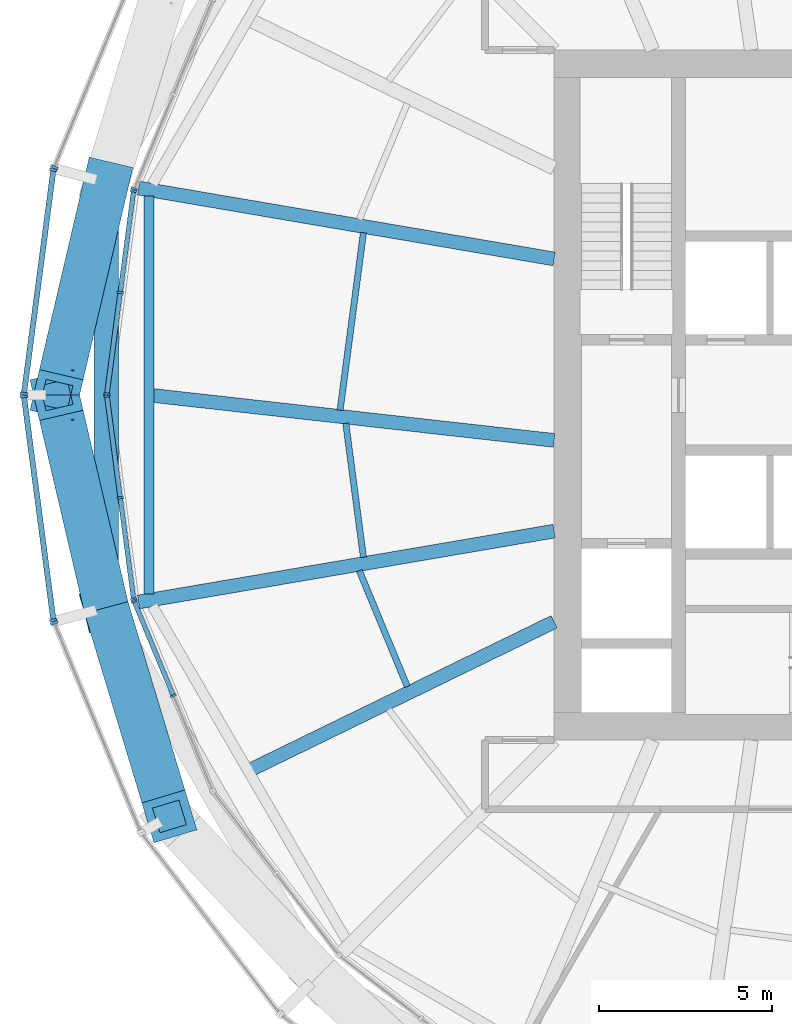
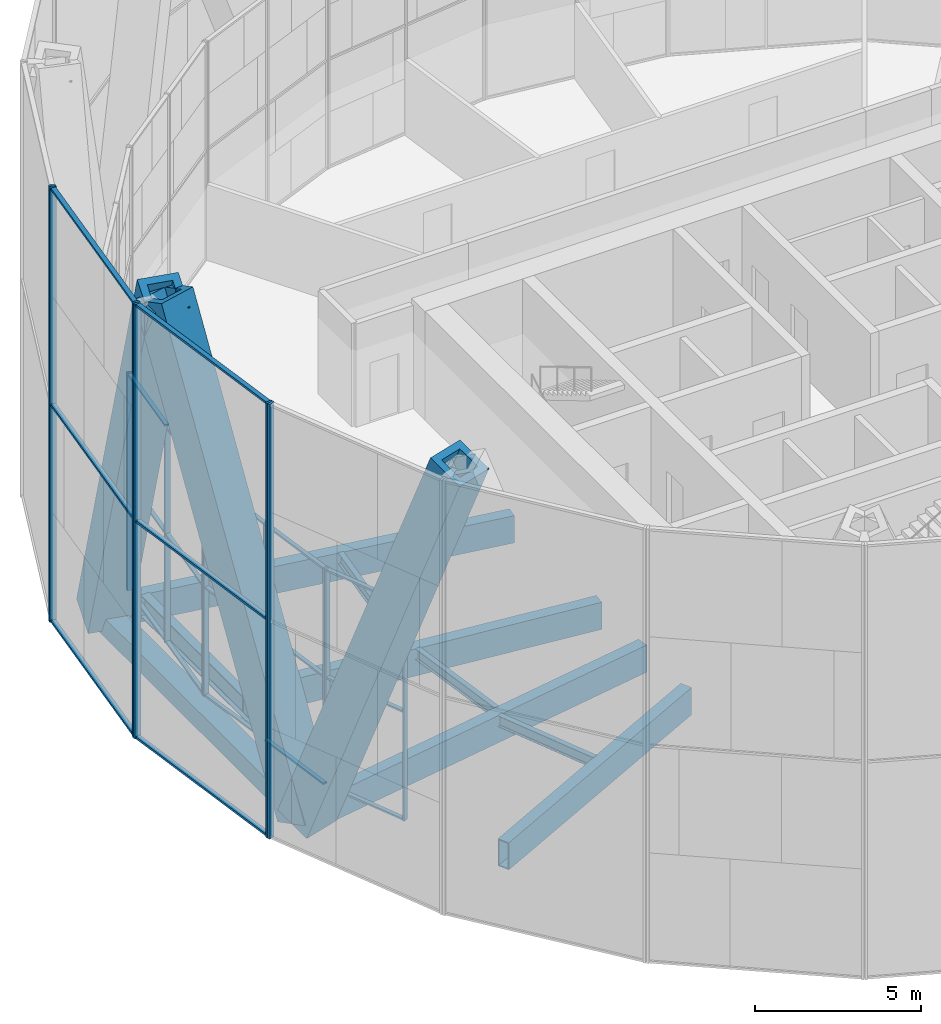
# One storey, part 3 of 22: 39 members, 9 beams, 8 elements without a shape of their own.
"""IFC4 building model written with IfcOpenShell, lengths in metres."""

from ifc_helpers import new_model, si_unit, direction, frame, origin, origin_2d, place, context, subcontext, project, spatial, rectangle, hollow_rectangle, i_section, extrude, material, material_profile, profile_set, type_object, element, aggregate, save


model = new_model("IFC4")

# Units and contexts
model_context = context("Model", 3, precision=1e-05, world=origin(), true_north=direction((0.0, 1.0)))
body_context = subcontext(model_context, "Body", "Model", "MODEL_VIEW")
ifc_project = project(units=[si_unit("LENGTHUNIT", "METRE"), si_unit("AREAUNIT", "SQUARE_METRE"), si_unit("VOLUMEUNIT", "CUBIC_METRE"), si_unit("PLANEANGLEUNIT", "RADIAN"), si_unit("MASSUNIT", "GRAM", prefix="KILO")], contexts=[model_context])

# Site, building, storey
site_placement = place(None, origin())
site = spatial("IfcSite", under=ifc_project, at=site_placement, CompositionType="ELEMENT")
building_placement = place(site_placement, origin())
building = spatial("IfcBuilding", under=site, at=building_placement, Name="Golbaran Civic Tower", CompositionType="ELEMENT")
storey_placement = place(building_placement, frame((0.0, 0.0, 37.0)))
storey = spatial("IfcBuildingStorey", under=building, at=storey_placement, Name="L08", CompositionType="ELEMENT", Elevation=37.0)

# Members
ifc_material_1 = material(Name="Steel S355", Category="steel")
ifc_material_profile_1 = material_profile(ifc_material_1, hollow_rectangle(XDim=1.300048828125, YDim=1.300048828125, WallThickness=0.25, at=origin_2d()), Name="BOX 1300x1300x250")
ifc_profile_set_1 = profile_set([ifc_material_profile_1], Name="Steel S355")
member_type_1 = type_object("IfcMemberType", Name="DIAGRID DIAGONAL BOX 1300x1300x250", PredefinedType="BRACE", material=ifc_profile_set_1)
for number, where, z_axis, x_axis, name in (
    (1, (-22.974609375, 6.156005859375, -0.7099609375), (-0.083783707779, -0.357826251971, 0.930021861953), (0.97366575113, -0.227980273435, 0.0), "Diagonal D01-05R L08-L12"),
    (2, (-22.974609375, -6.156005859375, -0.7099609375), (0.106361428095, -0.351780312348, 0.930020353787), (0.957204461944, 0.289412539524, 0.0), "Diagonal D01-06R L08-L12"),
    (3, (-22.974609375, -6.156005859375, -0.7099609375), (-0.083783707779, 0.357826251971, 0.930021861953), (-0.97366575113, -0.227980273435, 0.0), "Diagonal D01-06L L08-L12"),
):
    element("IfcMember", number, at=place(storey_placement, frame(where, z_axis=z_axis, x_axis=x_axis)), inside=storey, type_object=member_type_1, Name=name, PredefinedType="BRACE", context=body_context, shape_type="SweptSolid", body=[
        extrude(hollow_rectangle(XDim=1.300048828125, YDim=1.300048828125, WallThickness=0.25, at=origin_2d()), origin(), (0.0, 0.0, 1.0), 17.203857421875),
    ])

# Beams
ifc_material_profile_2 = material_profile(ifc_material_1, hollow_rectangle(XDim=0.699951171875, YDim=0.699951171875, WallThickness=0.080078125, at=origin_2d()), Name="BOX 700x700x80")
ifc_profile_set_2 = profile_set([ifc_material_profile_2], Name="Steel S355")
beam_type_1 = type_object("IfcBeamType", Name="DIAGRID RING TIE BOX 700x700x80", PredefinedType="BEAM", material=ifc_profile_set_2)
beam_1_placement = place(storey_placement, frame((-22.974609375, 6.156005859375, -0.7099609375), z_axis=(0.0, -1.0, 0.0), x_axis=(1.0, 0.0, 0.0)))
element("IfcBeam", 4, at=beam_1_placement, inside=storey, type_object=beam_type_1, Name="Ring tie 165.00 L08", PredefinedType="BEAM", context=body_context, shape_type="SweptSolid", body=[
    extrude(hollow_rectangle(XDim=0.699951171875, YDim=0.699951171875, WallThickness=0.080078125, at=origin_2d()), origin(), (0.0, 0.0, 1.0), 12.31201171875),
])
ifc_material_profile_3 = material_profile(ifc_material_1, i_section(OverallWidth=0.300048828125, OverallDepth=0.800048828125, WebThickness=0.017578125, FlangeThickness=0.032958984375, FilletRadius=0.030029296875, at=origin_2d()), Name="HEB 800")
ifc_profile_set_3 = profile_set([ifc_material_profile_3], Name="Steel S355")
beam_type_2 = type_object("IfcBeamType", Name="EDGE BEAM HEB 800", PredefinedType="BEAM", material=ifc_profile_set_3)
beam_2_placement = place(storey_placement, frame((-21.736328125, 5.76220703125, -0.60009765625), z_axis=(0.0, -1.0, 0.0), x_axis=(1.0, 0.0, 0.0)))
element("IfcBeam", 5, at=beam_2_placement, inside=storey, type_object=beam_type_2, Name="Edge beam 165.00 L08", PredefinedType="BEAM", context=body_context, shape_type="SweptSolid", body=[
    extrude(i_section(OverallWidth=0.300048828125, OverallDepth=0.800048828125, WebThickness=0.017578125, FlangeThickness=0.032958984375, FilletRadius=0.030029296875, at=origin_2d()), origin(), (0.0, 0.0, 1.0), 11.5244140625),
])
ifc_material_profile_4 = material_profile(ifc_material_1, i_section(OverallWidth=0.179931640625, OverallDepth=0.39990234375, WebThickness=0.008544921875, FlangeThickness=0.013427734375, FilletRadius=0.02099609375, at=origin_2d()), Name="IPE 400")
ifc_profile_set_4 = profile_set([ifc_material_profile_4], Name="Steel S355")
beam_type_3 = type_object("IfcBeamType", Name="FLOOR INFILL BEAM IPE 400", PredefinedType="BEAM", material=ifc_profile_set_4)
beam_3_placement = place(storey_placement, frame((-15.524169921875, 4.70263671875, -0.39990234375), z_axis=(-0.130504444265, -0.991447724304, 0.0), x_axis=(0.991447724304, -0.130504444265, 0.0)))
element("IfcBeam", 6, at=beam_3_placement, inside=storey, type_object=beam_type_3, Name="Infill beam 172.50 L08", PredefinedType="BEAM", context=body_context, shape_type="SweptSolid", body=[
    extrude(i_section(OverallWidth=0.179931640625, OverallDepth=0.39990234375, WebThickness=0.008544921875, FlangeThickness=0.013427734375, FilletRadius=0.02099609375, at=origin_2d()), origin(), (0.0, 0.0, 1.0), 5.185791015625),
])
beam_4_placement = place(storey_placement, frame((-16.035400390625, -0.819580078125, -0.39990234375), z_axis=(0.13053029912, -0.991444320681, 0.0), x_axis=(0.991444320681, 0.13053029912, 0.0)))
element("IfcBeam", 7, at=beam_4_placement, inside=storey, type_object=beam_type_3, Name="Infill beam 187.50 L08", PredefinedType="BEAM", context=body_context, shape_type="SweptSolid", body=[
    extrude(i_section(OverallWidth=0.179931640625, OverallDepth=0.39990234375, WebThickness=0.008544921875, FlangeThickness=0.013427734375, FilletRadius=0.02099609375, at=origin_2d()), origin(), (0.0, 0.0, 1.0), 3.91650390625),
])
beam_5_placement = place(storey_placement, frame((-15.644287109375, -5.088134765625, -0.39990234375), z_axis=(0.382672312767, -0.923884138321, 0.0), x_axis=(0.923884138321, 0.382672312767, 0.0)))
element("IfcBeam", 8, at=beam_5_placement, inside=storey, type_object=beam_type_3, Name="Infill beam 202.50 L08", PredefinedType="BEAM", context=body_context, shape_type="SweptSolid", body=[
    extrude(i_section(OverallWidth=0.179931640625, OverallDepth=0.39990234375, WebThickness=0.008544921875, FlangeThickness=0.013427734375, FilletRadius=0.02099609375, at=origin_2d()), origin(), (0.0, 0.0, 1.0), 3.6328125),
])

# Curtain wall, member
ifc_material_2 = material(Name="Aluminium and glass", Category="aluminium")
curtain_wall_type_1 = type_object("IfcCurtainWallType", Name="INNER SKIN CURTAIN WALL", PredefinedType="NOTDEFINED", material=ifc_material_2)
curtain_wall_1_placement = place(storey_placement, origin())
curtain_wall_1 = element("IfcCurtainWall", 9, at=curtain_wall_1_placement, inside=storey, type_object=curtain_wall_type_1, Name="Inner skin L08 facet 11 CW1", ObjectType="INNER SKIN", PredefinedType="USERDEFINED")
ifc_material_3 = material(Name="Aluminium", Category="aluminium")
ifc_material_profile_5 = material_profile(ifc_material_3, rectangle(XDim=0.179931640625, YDim=0.06494140625, at=origin_2d()), Name="INNER SKIN CURTAIN WALL MULLION")
ifc_profile_set_5 = profile_set([ifc_material_profile_5], Name="Aluminium")
member_type_2 = type_object("IfcMemberType", Name="INNER SKIN CURTAIN WALL MULLION", PredefinedType="MULLION", material=ifc_profile_set_5)
member_1_placement = place(storey_placement, frame((-22.166259765625, 5.97265625, 0.0), z_axis=(0.0, 0.0, 1.0), x_axis=(0.923879532511, -0.382683432365, 0.0)))
member_1 = element("IfcMember", 10, at=member_1_placement, type_object=member_type_2, Name="CW1 mullion 3", PredefinedType="MULLION", context=body_context, shape_type="SweptSolid", body=[
    extrude(rectangle(XDim=0.179931640625, YDim=0.06494140625, at=origin_2d()), origin(), (0.0, 0.0, 1.0), 8.0),
])
aggregate(curtain_wall_1, [member_1])

# Curtain wall, members
curtain_wall_2_placement = place(storey_placement, origin())
curtain_wall_2 = element("IfcCurtainWall", 11, at=curtain_wall_2_placement, inside=storey, type_object=curtain_wall_type_1, Name="Inner skin L08 facet 12 CW1", ObjectType="INNER SKIN", PredefinedType="USERDEFINED")
member_2_placement = place(storey_placement, frame((-22.182861328125, 5.910400390625, 0.0), z_axis=(0.0, 0.0, 1.0), x_axis=(0.991444861365, -0.130526192289, 0.0)))
member_2 = element("IfcMember", 12, at=member_2_placement, type_object=member_type_2, Name="CW1 mullion 1", PredefinedType="MULLION", context=body_context, shape_type="SweptSolid", body=[
    extrude(rectangle(XDim=0.179931640625, YDim=0.06494140625, at=origin_2d()), origin(), (0.0, 0.0, 1.0), 8.0),
])
member_3_placement = place(storey_placement, frame((-22.56982421875, 2.971435546875, 0.0), z_axis=(0.0, 0.0, 1.0), x_axis=(0.991444861365, -0.130526192289, 0.0)))
member_3 = element("IfcMember", 13, at=member_3_placement, type_object=member_type_2, Name="CW1 mullion 2", PredefinedType="MULLION", context=body_context, shape_type="SweptSolid", body=[
    extrude(rectangle(XDim=0.179931640625, YDim=0.06494140625, at=origin_2d()), origin(), (0.0, 0.0, 1.0), 8.0),
])
member_4_placement = place(storey_placement, frame((-22.956787109375, 0.0322265625, 0.0), z_axis=(0.0, 0.0, 1.0), x_axis=(0.991444861365, -0.130526192289, 0.0)))
member_4 = element("IfcMember", 14, at=member_4_placement, type_object=member_type_2, Name="CW1 mullion 3", PredefinedType="MULLION", context=body_context, shape_type="SweptSolid", body=[
    extrude(rectangle(XDim=0.179931640625, YDim=0.06494140625, at=origin_2d()), origin(), (0.0, 0.0, 1.0), 8.0),
])

curtain_wall_3_placement = place(storey_placement, origin())
curtain_wall_3 = element("IfcCurtainWall", 15, at=curtain_wall_3_placement, inside=storey, type_object=curtain_wall_type_1, Name="Inner skin L08 facet 13 CW1", ObjectType="INNER SKIN", PredefinedType="USERDEFINED")
member_5_placement = place(storey_placement, frame((-22.956787109375, -0.0322265625, 0.0), z_axis=(0.0, 0.0, 1.0), x_axis=(0.991444861365, 0.130526192289, 0.0)))
member_5 = element("IfcMember", 16, at=member_5_placement, type_object=member_type_2, Name="CW1 mullion 1", PredefinedType="MULLION", context=body_context, shape_type="SweptSolid", body=[
    extrude(rectangle(XDim=0.179931640625, YDim=0.06494140625, at=origin_2d()), origin(), (0.0, 0.0, 1.0), 8.0),
])
member_6_placement = place(storey_placement, frame((-22.56982421875, -2.971435546875, 0.0), z_axis=(0.0, 0.0, 1.0), x_axis=(0.991444861365, 0.130526192289, 0.0)))
member_6 = element("IfcMember", 17, at=member_6_placement, type_object=member_type_2, Name="CW1 mullion 2", PredefinedType="MULLION", context=body_context, shape_type="SweptSolid", body=[
    extrude(rectangle(XDim=0.179931640625, YDim=0.06494140625, at=origin_2d()), origin(), (0.0, 0.0, 1.0), 8.0),
])
member_7_placement = place(storey_placement, frame((-22.182861328125, -5.910400390625, 0.0), z_axis=(0.0, 0.0, 1.0), x_axis=(0.991444861365, 0.130526192289, 0.0)))
member_7 = element("IfcMember", 18, at=member_7_placement, type_object=member_type_2, Name="CW1 mullion 3", PredefinedType="MULLION", context=body_context, shape_type="SweptSolid", body=[
    extrude(rectangle(XDim=0.179931640625, YDim=0.06494140625, at=origin_2d()), origin(), (0.0, 0.0, 1.0), 8.0),
])

curtain_wall_4_placement = place(storey_placement, origin())
curtain_wall_4 = element("IfcCurtainWall", 19, at=curtain_wall_4_placement, inside=storey, type_object=curtain_wall_type_1, Name="Inner skin L08 facet 14 CW1", ObjectType="INNER SKIN", PredefinedType="USERDEFINED")
member_8_placement = place(storey_placement, frame((-22.166259765625, -5.97265625, 0.0), z_axis=(0.0, 0.0, 1.0), x_axis=(0.923879532511, 0.382683432365, 0.0)))
member_8 = element("IfcMember", 20, at=member_8_placement, type_object=member_type_2, Name="CW1 mullion 1", PredefinedType="MULLION", context=body_context, shape_type="SweptSolid", body=[
    extrude(rectangle(XDim=0.179931640625, YDim=0.06494140625, at=origin_2d()), origin(), (0.0, 0.0, 1.0), 8.0),
])
member_9_placement = place(storey_placement, frame((-21.03173828125, -8.711669921875, 0.0), z_axis=(0.0, 0.0, 1.0), x_axis=(0.923879532511, 0.382683432365, 0.0)))
member_9 = element("IfcMember", 21, at=member_9_placement, type_object=member_type_2, Name="CW1 mullion 2", PredefinedType="MULLION", context=body_context, shape_type="SweptSolid", body=[
    extrude(rectangle(XDim=0.179931640625, YDim=0.06494140625, at=origin_2d()), origin(), (0.0, 0.0, 1.0), 8.0),
])

# Member
ifc_material_profile_6 = material_profile(ifc_material_3, rectangle(XDim=0.139892578125, YDim=0.06494140625, at=origin_2d()), Name="INNER SKIN CURTAIN WALL TRANSOM")
ifc_profile_set_6 = profile_set([ifc_material_profile_6], Name="Aluminium")
member_type_3 = type_object("IfcMemberType", Name="INNER SKIN CURTAIN WALL TRANSOM", PredefinedType="USERDEFINED", material=ifc_profile_set_6)
member_10_placement = place(storey_placement, frame((-22.18701171875, 5.87841796875, 0.032470703125), z_axis=(-0.130591727785, -0.991436231249, 0.0), x_axis=(0.991436231249, -0.130591727785, 0.0)))
member_10 = element("IfcMember", 22, at=member_10_placement, type_object=member_type_3, Name="CW1 transom 1.1", ObjectType="TRANSOM", PredefinedType="USERDEFINED", context=body_context, shape_type="SweptSolid", body=[
    extrude(rectangle(XDim=0.139892578125, YDim=0.06494140625, at=origin_2d()), origin(), (0.0, 0.0, 1.0), 2.899658203125),
])

member_11_placement = place(storey_placement, frame((-22.18701171875, 5.87841796875, 4.0), z_axis=(-0.130591727785, -0.991436231249, 0.0), x_axis=(0.991436231249, -0.130591727785, 0.0)))
member_11 = element("IfcMember", 23, at=member_11_placement, type_object=member_type_3, Name="CW1 transom 1.2", ObjectType="TRANSOM", PredefinedType="USERDEFINED", context=body_context, shape_type="SweptSolid", body=[
    extrude(rectangle(XDim=0.139892578125, YDim=0.06494140625, at=origin_2d()), origin(), (0.0, 0.0, 1.0), 2.899658203125),
])

member_12_placement = place(storey_placement, frame((-22.18701171875, 5.87841796875, 7.967529296875), z_axis=(-0.130591727785, -0.991436231249, 0.0), x_axis=(0.991436231249, -0.130591727785, 0.0)))
member_12 = element("IfcMember", 24, at=member_12_placement, type_object=member_type_3, Name="CW1 transom 1.3", ObjectType="TRANSOM", PredefinedType="USERDEFINED", context=body_context, shape_type="SweptSolid", body=[
    extrude(rectangle(XDim=0.139892578125, YDim=0.06494140625, at=origin_2d()), origin(), (0.0, 0.0, 1.0), 2.899658203125),
])

member_13_placement = place(storey_placement, frame((-22.573974609375, 2.939208984375, 0.032470703125), z_axis=(-0.130591727785, -0.991436231249, 0.0), x_axis=(0.991436231249, -0.130591727785, 0.0)))
member_13 = element("IfcMember", 25, at=member_13_placement, type_object=member_type_3, Name="CW1 transom 2.1", ObjectType="TRANSOM", PredefinedType="USERDEFINED", context=body_context, shape_type="SweptSolid", body=[
    extrude(rectangle(XDim=0.139892578125, YDim=0.06494140625, at=origin_2d()), origin(), (0.0, 0.0, 1.0), 2.899658203125),
])

member_14_placement = place(storey_placement, frame((-22.573974609375, 2.939208984375, 4.0), z_axis=(-0.130591727785, -0.991436231249, 0.0), x_axis=(0.991436231249, -0.130591727785, 0.0)))
member_14 = element("IfcMember", 26, at=member_14_placement, type_object=member_type_3, Name="CW1 transom 2.2", ObjectType="TRANSOM", PredefinedType="USERDEFINED", context=body_context, shape_type="SweptSolid", body=[
    extrude(rectangle(XDim=0.139892578125, YDim=0.06494140625, at=origin_2d()), origin(), (0.0, 0.0, 1.0), 2.899658203125),
])

member_15_placement = place(storey_placement, frame((-22.573974609375, 2.939208984375, 7.967529296875), z_axis=(-0.130591727785, -0.991436231249, 0.0), x_axis=(0.991436231249, -0.130591727785, 0.0)))
member_15 = element("IfcMember", 27, at=member_15_placement, type_object=member_type_3, Name="CW1 transom 2.3", ObjectType="TRANSOM", PredefinedType="USERDEFINED", context=body_context, shape_type="SweptSolid", body=[
    extrude(rectangle(XDim=0.139892578125, YDim=0.06494140625, at=origin_2d()), origin(), (0.0, 0.0, 1.0), 2.899658203125),
])

aggregate(curtain_wall_2, [member_2, member_3, member_4, member_10, member_11, member_12, member_13, member_14, member_15])

member_16_placement = place(storey_placement, frame((-22.95263671875, -0.064453125, 0.032470703125), z_axis=(0.130591727785, -0.991436231249, 0.0), x_axis=(0.991436231249, 0.130591727785, 0.0)))
member_16 = element("IfcMember", 28, at=member_16_placement, type_object=member_type_3, Name="CW1 transom 1.1", ObjectType="TRANSOM", PredefinedType="USERDEFINED", context=body_context, shape_type="SweptSolid", body=[
    extrude(rectangle(XDim=0.139892578125, YDim=0.06494140625, at=origin_2d()), origin(), (0.0, 0.0, 1.0), 2.899658203125),
])

member_17_placement = place(storey_placement, frame((-22.95263671875, -0.064453125, 4.0), z_axis=(0.130591727785, -0.991436231249, 0.0), x_axis=(0.991436231249, 0.130591727785, 0.0)))
member_17 = element("IfcMember", 29, at=member_17_placement, type_object=member_type_3, Name="CW1 transom 1.2", ObjectType="TRANSOM", PredefinedType="USERDEFINED", context=body_context, shape_type="SweptSolid", body=[
    extrude(rectangle(XDim=0.139892578125, YDim=0.06494140625, at=origin_2d()), origin(), (0.0, 0.0, 1.0), 2.899658203125),
])

member_18_placement = place(storey_placement, frame((-22.95263671875, -0.064453125, 7.967529296875), z_axis=(0.130591727785, -0.991436231249, 0.0), x_axis=(0.991436231249, 0.130591727785, 0.0)))
member_18 = element("IfcMember", 30, at=member_18_placement, type_object=member_type_3, Name="CW1 transom 1.3", ObjectType="TRANSOM", PredefinedType="USERDEFINED", context=body_context, shape_type="SweptSolid", body=[
    extrude(rectangle(XDim=0.139892578125, YDim=0.06494140625, at=origin_2d()), origin(), (0.0, 0.0, 1.0), 2.899658203125),
])

member_19_placement = place(storey_placement, frame((-22.565673828125, -3.003662109375, 0.032470703125), z_axis=(0.130591727785, -0.991436231249, 0.0), x_axis=(0.991436231249, 0.130591727785, 0.0)))
member_19 = element("IfcMember", 31, at=member_19_placement, type_object=member_type_3, Name="CW1 transom 2.1", ObjectType="TRANSOM", PredefinedType="USERDEFINED", context=body_context, shape_type="SweptSolid", body=[
    extrude(rectangle(XDim=0.139892578125, YDim=0.06494140625, at=origin_2d()), origin(), (0.0, 0.0, 1.0), 2.899658203125),
])

member_20_placement = place(storey_placement, frame((-22.565673828125, -3.003662109375, 4.0), z_axis=(0.130591727785, -0.991436231249, 0.0), x_axis=(0.991436231249, 0.130591727785, 0.0)))
member_20 = element("IfcMember", 32, at=member_20_placement, type_object=member_type_3, Name="CW1 transom 2.2", ObjectType="TRANSOM", PredefinedType="USERDEFINED", context=body_context, shape_type="SweptSolid", body=[
    extrude(rectangle(XDim=0.139892578125, YDim=0.06494140625, at=origin_2d()), origin(), (0.0, 0.0, 1.0), 2.899658203125),
])

member_21_placement = place(storey_placement, frame((-22.565673828125, -3.003662109375, 7.967529296875), z_axis=(0.130591727785, -0.991436231249, 0.0), x_axis=(0.991436231249, 0.130591727785, 0.0)))
member_21 = element("IfcMember", 33, at=member_21_placement, type_object=member_type_3, Name="CW1 transom 2.3", ObjectType="TRANSOM", PredefinedType="USERDEFINED", context=body_context, shape_type="SweptSolid", body=[
    extrude(rectangle(XDim=0.139892578125, YDim=0.06494140625, at=origin_2d()), origin(), (0.0, 0.0, 1.0), 2.899658203125),
])

aggregate(curtain_wall_3, [member_5, member_6, member_7, member_16, member_17, member_18, member_19, member_20, member_21])

member_22_placement = place(storey_placement, frame((-22.15380859375, -6.002685546875, 0.032470703125), z_axis=(0.382671544279, -0.923884456628, 0.0), x_axis=(0.923884456628, 0.382671544279, 0.0)))
member_22 = element("IfcMember", 34, at=member_22_placement, type_object=member_type_3, Name="CW1 transom 1.1", ObjectType="TRANSOM", PredefinedType="USERDEFINED", context=body_context, shape_type="SweptSolid", body=[
    extrude(rectangle(XDim=0.139892578125, YDim=0.06494140625, at=origin_2d()), origin(), (0.0, 0.0, 1.0), 2.899658203125),
])

member_23_placement = place(storey_placement, frame((-22.15380859375, -6.002685546875, 4.0), z_axis=(0.382671544279, -0.923884456628, 0.0), x_axis=(0.923884456628, 0.382671544279, 0.0)))
member_23 = element("IfcMember", 35, at=member_23_placement, type_object=member_type_3, Name="CW1 transom 1.2", ObjectType="TRANSOM", PredefinedType="USERDEFINED", context=body_context, shape_type="SweptSolid", body=[
    extrude(rectangle(XDim=0.139892578125, YDim=0.06494140625, at=origin_2d()), origin(), (0.0, 0.0, 1.0), 2.899658203125),
])

member_24_placement = place(storey_placement, frame((-22.15380859375, -6.002685546875, 7.967529296875), z_axis=(0.382671544279, -0.923884456628, 0.0), x_axis=(0.923884456628, 0.382671544279, 0.0)))
member_24 = element("IfcMember", 36, at=member_24_placement, type_object=member_type_3, Name="CW1 transom 1.3", ObjectType="TRANSOM", PredefinedType="USERDEFINED", context=body_context, shape_type="SweptSolid", body=[
    extrude(rectangle(XDim=0.139892578125, YDim=0.06494140625, at=origin_2d()), origin(), (0.0, 0.0, 1.0), 2.899658203125),
])

aggregate(curtain_wall_4, [member_8, member_9, member_22, member_23, member_24])

# Curtain wall, member
curtain_wall_type_2 = type_object("IfcCurtainWallType", Name="OUTER SKIN TERRACOTTA SCREEN", PredefinedType="NOTDEFINED", material=ifc_material_2)
curtain_wall_5_placement = place(storey_placement, origin())
curtain_wall_5 = element("IfcCurtainWall", 37, at=curtain_wall_5_placement, inside=storey, type_object=curtain_wall_type_2, Name="Outer skin L08 facet 11 CW3", ObjectType="OUTER SKIN", PredefinedType="USERDEFINED")
ifc_material_profile_7 = material_profile(ifc_material_3, rectangle(XDim=0.219970703125, YDim=0.080078125, at=origin_2d()), Name="OUTER SKIN TERRACOTTA SCREEN MULLION")
ifc_profile_set_7 = profile_set([ifc_material_profile_7], Name="Aluminium")
member_type_4 = type_object("IfcMemberType", Name="OUTER SKIN TERRACOTTA SCREEN MULLION", PredefinedType="MULLION", material=ifc_profile_set_7)
member_25_placement = place(storey_placement, frame((-24.486328125, 6.60205078125, -0.7099609375), z_axis=(0.0, 0.0, 1.0), x_axis=(0.923879532471, -0.382683432462, 0.0)))
member_25 = element("IfcMember", 38, at=member_25_placement, type_object=member_type_4, Name="CW3 mullion 2", PredefinedType="MULLION", context=body_context, shape_type="SweptSolid", body=[
    extrude(rectangle(XDim=0.219970703125, YDim=0.080078125, at=origin_2d()), origin(), (0.0, 0.0, 1.0), 16.0),
])
aggregate(curtain_wall_5, [member_25])

# Curtain wall, members
curtain_wall_6_placement = place(storey_placement, origin())
curtain_wall_6 = element("IfcCurtainWall", 39, at=curtain_wall_6_placement, inside=storey, type_object=curtain_wall_type_2, Name="Outer skin L08 facet 12 CW3", ObjectType="OUTER SKIN", PredefinedType="USERDEFINED")
member_26_placement = place(storey_placement, frame((-24.5068359375, 6.525634765625, -0.7099609375), z_axis=(0.0, 0.0, 1.0), x_axis=(0.991444861381, -0.130526192168, 0.0)))
member_26 = element("IfcMember", 40, at=member_26_placement, type_object=member_type_4, Name="CW3 mullion 1", PredefinedType="MULLION", context=body_context, shape_type="SweptSolid", body=[
    extrude(rectangle(XDim=0.219970703125, YDim=0.080078125, at=origin_2d()), origin(), (0.0, 0.0, 1.0), 16.0),
])
member_27_placement = place(storey_placement, frame((-25.36083984375, 0.03955078125, -0.7099609375), z_axis=(0.0, 0.0, 1.0), x_axis=(0.991444861381, -0.130526192168, 0.0)))
member_27 = element("IfcMember", 41, at=member_27_placement, type_object=member_type_4, Name="CW3 mullion 2", PredefinedType="MULLION", context=body_context, shape_type="SweptSolid", body=[
    extrude(rectangle(XDim=0.219970703125, YDim=0.080078125, at=origin_2d()), origin(), (0.0, 0.0, 1.0), 16.0),
])

curtain_wall_7_placement = place(storey_placement, origin())
curtain_wall_7 = element("IfcCurtainWall", 42, at=curtain_wall_7_placement, inside=storey, type_object=curtain_wall_type_2, Name="Outer skin L08 facet 13 CW3", ObjectType="OUTER SKIN", PredefinedType="USERDEFINED")
member_28_placement = place(storey_placement, frame((-25.36083984375, -0.03955078125, -0.7099609375), z_axis=(0.0, 0.0, 1.0), x_axis=(0.991444861381, 0.130526192168, 0.0)))
member_28 = element("IfcMember", 43, at=member_28_placement, type_object=member_type_4, Name="CW3 mullion 1", PredefinedType="MULLION", context=body_context, shape_type="SweptSolid", body=[
    extrude(rectangle(XDim=0.219970703125, YDim=0.080078125, at=origin_2d()), origin(), (0.0, 0.0, 1.0), 16.0),
])
member_29_placement = place(storey_placement, frame((-24.5068359375, -6.525634765625, -0.7099609375), z_axis=(0.0, 0.0, 1.0), x_axis=(0.991444861381, 0.130526192168, 0.0)))
member_29 = element("IfcMember", 44, at=member_29_placement, type_object=member_type_4, Name="CW3 mullion 2", PredefinedType="MULLION", context=body_context, shape_type="SweptSolid", body=[
    extrude(rectangle(XDim=0.219970703125, YDim=0.080078125, at=origin_2d()), origin(), (0.0, 0.0, 1.0), 16.0),
])

# Curtain wall, member
curtain_wall_8_placement = place(storey_placement, origin())
curtain_wall_8 = element("IfcCurtainWall", 45, at=curtain_wall_8_placement, inside=storey, type_object=curtain_wall_type_2, Name="Outer skin L08 facet 14 CW3", ObjectType="OUTER SKIN", PredefinedType="USERDEFINED")
member_30_placement = place(storey_placement, frame((-24.486328125, -6.60205078125, -0.7099609375), z_axis=(0.0, 0.0, 1.0), x_axis=(0.923879532471, 0.382683432462, 0.0)))
member_30 = element("IfcMember", 46, at=member_30_placement, type_object=member_type_4, Name="CW3 mullion 1", PredefinedType="MULLION", context=body_context, shape_type="SweptSolid", body=[
    extrude(rectangle(XDim=0.219970703125, YDim=0.080078125, at=origin_2d()), origin(), (0.0, 0.0, 1.0), 16.0),
])
aggregate(curtain_wall_8, [member_30])

# Member
ifc_material_profile_8 = material_profile(ifc_material_3, rectangle(XDim=0.159912109375, YDim=0.080078125, at=origin_2d()), Name="OUTER SKIN TERRACOTTA SCREEN TRANSOM")
ifc_profile_set_8 = profile_set([ifc_material_profile_8], Name="Aluminium")
member_type_5 = type_object("IfcMemberType", Name="OUTER SKIN TERRACOTTA SCREEN TRANSOM", PredefinedType="USERDEFINED", material=ifc_profile_set_8)
member_31_placement = place(storey_placement, frame((-24.51220703125, 6.48583984375, -0.669921875), z_axis=(-0.130500448024, -0.991448250321, 0.0), x_axis=(0.991448250321, -0.130500448024, 0.0)))
member_31 = element("IfcMember", 47, at=member_31_placement, type_object=member_type_5, Name="CW3 transom 1.1", ObjectType="TRANSOM", PredefinedType="USERDEFINED", context=body_context, shape_type="SweptSolid", body=[
    extrude(rectangle(XDim=0.159912109375, YDim=0.080078125, at=origin_2d()), origin(), (0.0, 0.0, 1.0), 6.461669921875),
])

member_32_placement = place(storey_placement, frame((-24.51220703125, 6.48583984375, 7.2900390625), z_axis=(-0.130500448024, -0.991448250321, 0.0), x_axis=(0.991448250321, -0.130500448024, 0.0)))
member_32 = element("IfcMember", 48, at=member_32_placement, type_object=member_type_5, Name="CW3 transom 1.2", ObjectType="TRANSOM", PredefinedType="USERDEFINED", context=body_context, shape_type="SweptSolid", body=[
    extrude(rectangle(XDim=0.159912109375, YDim=0.080078125, at=origin_2d()), origin(), (0.0, 0.0, 1.0), 6.461669921875),
])

member_33_placement = place(storey_placement, frame((-24.51220703125, 6.48583984375, 15.25), z_axis=(-0.130500448024, -0.991448250321, 0.0), x_axis=(0.991448250321, -0.130500448024, 0.0)))
member_33 = element("IfcMember", 49, at=member_33_placement, type_object=member_type_5, Name="CW3 transom 1.3", ObjectType="TRANSOM", PredefinedType="USERDEFINED", context=body_context, shape_type="SweptSolid", body=[
    extrude(rectangle(XDim=0.159912109375, YDim=0.080078125, at=origin_2d()), origin(), (0.0, 0.0, 1.0), 6.461669921875),
])

aggregate(curtain_wall_6, [member_26, member_27, member_31, member_32, member_33])

member_34_placement = place(storey_placement, frame((-25.35546875, -0.079345703125, -0.669921875), z_axis=(0.130500448024, -0.991448250321, 0.0), x_axis=(0.991448250321, 0.130500448024, 0.0)))
member_34 = element("IfcMember", 50, at=member_34_placement, type_object=member_type_5, Name="CW3 transom 1.1", ObjectType="TRANSOM", PredefinedType="USERDEFINED", context=body_context, shape_type="SweptSolid", body=[
    extrude(rectangle(XDim=0.159912109375, YDim=0.080078125, at=origin_2d()), origin(), (0.0, 0.0, 1.0), 6.461669921875),
])

member_35_placement = place(storey_placement, frame((-25.35546875, -0.079345703125, 7.2900390625), z_axis=(0.130500448024, -0.991448250321, 0.0), x_axis=(0.991448250321, 0.130500448024, 0.0)))
member_35 = element("IfcMember", 51, at=member_35_placement, type_object=member_type_5, Name="CW3 transom 1.2", ObjectType="TRANSOM", PredefinedType="USERDEFINED", context=body_context, shape_type="SweptSolid", body=[
    extrude(rectangle(XDim=0.159912109375, YDim=0.080078125, at=origin_2d()), origin(), (0.0, 0.0, 1.0), 6.461669921875),
])

member_36_placement = place(storey_placement, frame((-25.35546875, -0.079345703125, 15.25), z_axis=(0.130500448024, -0.991448250321, 0.0), x_axis=(0.991448250321, 0.130500448024, 0.0)))
member_36 = element("IfcMember", 52, at=member_36_placement, type_object=member_type_5, Name="CW3 transom 1.3", ObjectType="TRANSOM", PredefinedType="USERDEFINED", context=body_context, shape_type="SweptSolid", body=[
    extrude(rectangle(XDim=0.159912109375, YDim=0.080078125, at=origin_2d()), origin(), (0.0, 0.0, 1.0), 6.461669921875),
])

aggregate(curtain_wall_7, [member_28, member_29, member_34, member_35, member_36])

# Beams
ifc_material_profile_9 = material_profile(ifc_material_1, hollow_rectangle(XDim=0.39990234375, YDim=1.0, WallThickness=0.050048828125, at=origin_2d()), Name="BOX 1000x400x50")
ifc_profile_set_9 = profile_set([ifc_material_profile_9], Name="Steel S355")
beam_type_4 = type_object("IfcBeamType", Name="RADIAL FLOOR BEAM BOX 1000x400x50", PredefinedType="BEAM", material=ifc_profile_set_9)
for number, where, z_axis, x_axis, name in (
    (53, (-10.0, 3.94287109375, -0.7099609375), (-0.985761730015, 0.168148183573, 0.0), (-0.168148183573, -0.985761730015, 0.0), "Radial beam 165.00 L08"),
    (54, (-10.0, -3.94287109375, -0.7099609375), (-0.985761730015, -0.168148183573, 0.0), (0.168148183573, -0.985761730015, 0.0), "Radial beam 195.00 L08"),
):
    element("IfcBeam", number, at=place(storey_placement, frame(where, z_axis=z_axis, x_axis=x_axis)), inside=storey, type_object=beam_type_4, Name=name, PredefinedType="BEAM", context=body_context, shape_type="SweptSolid", body=[
        extrude(hollow_rectangle(XDim=0.39990234375, YDim=1.0, WallThickness=0.050048828125, at=origin_2d()), origin(), (0.0, 0.0, 1.0), 12.213623046875),
    ])
ifc_material_profile_10 = material_profile(ifc_material_1, hollow_rectangle(XDim=0.39990234375, YDim=1.0, WallThickness=0.0400390625, at=origin_2d()), Name="BOX 1000x400x40")
ifc_profile_set_10 = profile_set([ifc_material_profile_10], Name="Steel S355")
beam_type_5 = type_object("IfcBeamType", Name="SECONDARY FLOOR BEAM BOX 1000x400x40", PredefinedType="BEAM", material=ifc_profile_set_10)
beam_6_placement = place(storey_placement, frame((-10.0, -1.314208984375, -0.7099609375), z_axis=(-0.993788829645, 0.111282352928, 0.0), x_axis=(-0.111282352928, -0.993788829645, 0.0)))
element("IfcBeam", 55, at=beam_6_placement, inside=storey, type_object=beam_type_5, Name="Secondary beam 180.00 L08", PredefinedType="BEAM", context=body_context, shape_type="SweptSolid", body=[
    extrude(hollow_rectangle(XDim=0.39990234375, YDim=1.0, WallThickness=0.0400390625, at=origin_2d()), origin(), (0.0, 0.0, 1.0), 11.8095703125),
])
beam_7_placement = place(storey_placement, frame((-10.0, -6.571533203125, -0.7099609375), z_axis=(-0.898941617936, -0.438068450751, 0.0), x_axis=(0.438068450751, -0.898941617936, 0.0)))
element("IfcBeam", 56, at=beam_7_placement, inside=storey, type_object=beam_type_5, Name="Secondary beam 210.00 L08", PredefinedType="BEAM", context=body_context, shape_type="SweptSolid", body=[
    extrude(hollow_rectangle(XDim=0.39990234375, YDim=1.0, WallThickness=0.0400390625, at=origin_2d()), origin(), (0.0, 0.0, 1.0), 9.85986328125),
])

save(model, "model.ifc")
